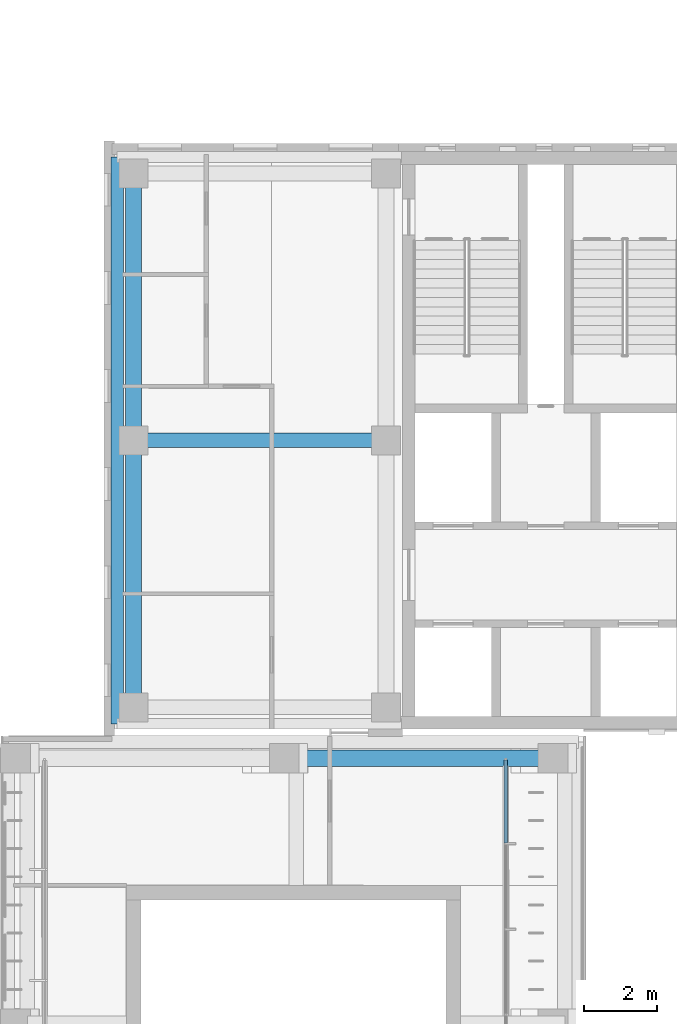
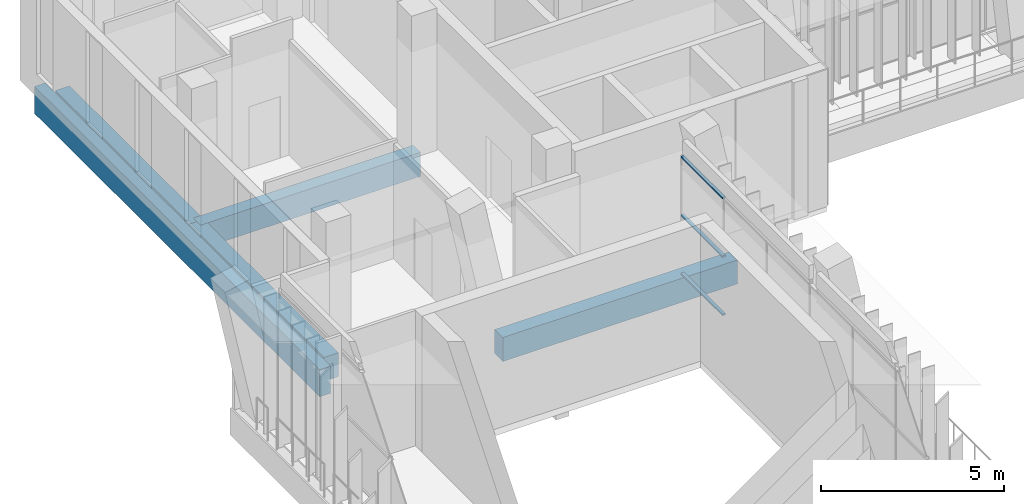
# One storey, part 29 of 89: 5 beams, 3 members, 1 element without a shape of its own.
"""IFC4 building model written with IfcOpenShell, lengths in metres."""

from ifc_helpers import new_model, si_unit, direction, frame, origin, origin_2d, place, context, subcontext, project, spatial, rectangle, extrude, material, material_profile, profile_set, type_object, element, aggregate, save


model = new_model("IFC4")

# Units and contexts
model_context = context("Model", 3, precision=1e-05, world=origin(), true_north=direction((0.0, 1.0)))
body_context = subcontext(model_context, "Body", "Model", "MODEL_VIEW")
ifc_project = project(units=[si_unit("LENGTHUNIT", "METRE"), si_unit("AREAUNIT", "SQUARE_METRE"), si_unit("VOLUMEUNIT", "CUBIC_METRE"), si_unit("PLANEANGLEUNIT", "RADIAN"), si_unit("MASSUNIT", "GRAM", prefix="KILO")], contexts=[model_context])

# Site, building, storey
site_placement = place(None, origin())
site = spatial("IfcSite", under=ifc_project, at=site_placement, CompositionType="ELEMENT")
building_placement = place(site_placement, origin())
building = spatial("IfcBuilding", under=site, at=building_placement, Name="Lantern Court Media Centre", CompositionType="ELEMENT")
storey_placement = place(building_placement, frame((0.0, 0.0, 14.39990234375)))
storey = spatial("IfcBuildingStorey", under=building, at=storey_placement, Name="L03", CompositionType="ELEMENT", Elevation=14.39990234375)

# Curtain wall, members
ifc_material_1 = material(Name="Curtain wall bay 2400")
curtain_wall_type = type_object("IfcCurtainWallType", Name="Curtain wall bay 2400", PredefinedType="NOTDEFINED", material=ifc_material_1)
curtain_wall_placement = place(storey_placement, origin())
curtain_wall = element("IfcCurtainWall", 1, at=curtain_wall_placement, inside=storey, type_object=curtain_wall_type, Name="Curtain wall W inner L03", PredefinedType="NOTDEFINED")
ifc_material_2 = material(Name="Anodised aluminium", Category="aluminium")
ifc_material_profile_1 = material_profile(ifc_material_2, rectangle(XDim=0.10009765625, YDim=0.050048828125, at=origin_2d()), Name="AL 50x100")
ifc_profile_set_1 = profile_set([ifc_material_profile_1], Name="Anodised aluminium")
member_type = type_object("IfcMemberType", Name="Curtain wall transom 100x50", PredefinedType="USERDEFINED", material=ifc_profile_set_1)
member_1_placement = place(storey_placement, frame((18.85009765625, 92.97119140625, 0.025146484375), z_axis=(0.0, 1.0, 0.0), x_axis=(-1.0, 0.0, 0.0)))
member_1 = element("IfcMember", 2, at=member_1_placement, type_object=member_type, Name="CW2 transom 13.1", ObjectType="TRANSOM", PredefinedType="USERDEFINED", context=body_context, shape_type="SweptSolid", body=[
    extrude(rectangle(XDim=0.10009765625, YDim=0.050048828125, at=origin_2d()), origin(), (0.0, 0.0, 1.0), 2.27880859375),
])
member_2_placement = place(storey_placement, frame((18.85009765625, 92.97119140625, 1.97509765625), z_axis=(0.0, 1.0, 0.0), x_axis=(-1.0, 0.0, 0.0)))
member_2 = element("IfcMember", 3, at=member_2_placement, type_object=member_type, Name="CW2 transom 13.2", ObjectType="TRANSOM", PredefinedType="USERDEFINED", context=body_context, shape_type="SweptSolid", body=[
    extrude(rectangle(XDim=0.10009765625, YDim=0.050048828125, at=origin_2d()), origin(), (0.0, 0.0, 1.0), 2.27880859375),
])
member_3_placement = place(storey_placement, frame((18.85009765625, 92.97119140625, 3.925048828125), z_axis=(0.0, 1.0, 0.0), x_axis=(-1.0, 0.0, 0.0)))
member_3 = element("IfcMember", 4, at=member_3_placement, type_object=member_type, Name="CW2 transom 13.3", ObjectType="TRANSOM", PredefinedType="USERDEFINED", context=body_context, shape_type="SweptSolid", body=[
    extrude(rectangle(XDim=0.10009765625, YDim=0.050048828125, at=origin_2d()), origin(), (0.0, 0.0, 1.0), 2.27880859375),
])
aggregate(curtain_wall, [member_1, member_2, member_3])

# Beams
ifc_material_3 = material(Name="Concrete C35", Category="concrete")
ifc_material_profile_2 = material_profile(ifc_material_3, rectangle(XDim=0.35009765625, YDim=0.89990234375, at=origin_2d()), Name="RC 350x900")
ifc_profile_set_2 = profile_set([ifc_material_profile_2], Name="Concrete C35")
beam_type_1 = type_object("IfcBeamType", Name="RC BEAM 350x900", PredefinedType="BEAM", material=ifc_profile_set_2)
beam_1_placement = place(storey_placement, frame((8.14990234375, 96.25, -0.449951171875), z_axis=(0.0, 1.0, 0.0), x_axis=(-1.0, 0.0, 0.0)))
element("IfcBeam", 5, at=beam_1_placement, inside=storey, type_object=beam_type_1, Name="EB-NW-L03-W", PredefinedType="BEAM", context=body_context, shape_type="SweptSolid", body=[
    extrude(rectangle(XDim=0.35009765625, YDim=0.89990234375, at=origin_2d()), origin(), (0.0, 0.0, 1.0), 15.60009765625),
])
ifc_material_profile_3 = material_profile(ifc_material_3, rectangle(XDim=0.39990234375, YDim=0.800048828125, at=origin_2d()), Name="RC 400x800")
ifc_profile_set_3 = profile_set([ifc_material_profile_3], Name="Concrete C35")
beam_type_2 = type_object("IfcBeamType", Name="RC BEAM 400x800", PredefinedType="BEAM", material=ifc_profile_set_3)
beam_2_placement = place(storey_placement, frame((8.60009765625, 104.050048828125, -0.39990234375), z_axis=(1.0, 0.0, 0.0), x_axis=(0.0, 1.0, 0.0)))
element("IfcBeam", 6, at=beam_2_placement, inside=storey, type_object=beam_type_2, Name="BB-NW-L03-Y0-104", PredefinedType="BEAM", context=body_context, shape_type="SweptSolid", body=[
    extrude(rectangle(XDim=0.39990234375, YDim=0.800048828125, at=origin_2d()), origin(), (0.0, 0.0, 1.0), 6.949951171875),
])
ifc_material_profile_4 = material_profile(ifc_material_3, rectangle(XDim=0.449951171875, YDim=0.800048828125, at=origin_2d()), Name="RC 450x800")
ifc_profile_set_4 = profile_set([ifc_material_profile_4], Name="Concrete C35")
beam_type_3 = type_object("IfcBeamType", Name="RC BEAM 450x800", PredefinedType="BEAM", material=ifc_profile_set_4)
beam_3_placement = place(storey_placement, frame((8.60009765625, 96.699951171875, -0.39990234375), z_axis=(0.0, 1.0, 0.0), x_axis=(-1.0, 0.0, 0.0)))
element("IfcBeam", 7, at=beam_3_placement, inside=storey, type_object=beam_type_3, Name="BB-NW-L03-X0-8", PredefinedType="BEAM", context=body_context, shape_type="SweptSolid", body=[
    extrude(rectangle(XDim=0.449951171875, YDim=0.800048828125, at=origin_2d()), origin(), (0.0, 0.0, 1.0), 7.35009765625),
])
beam_4_placement = place(storey_placement, frame((8.60009765625, 104.050048828125, -0.39990234375), z_axis=(0.0, 1.0, 0.0), x_axis=(-1.0, 0.0, 0.0)))
element("IfcBeam", 8, at=beam_4_placement, inside=storey, type_object=beam_type_3, Name="BB-NW-L03-X1-8", PredefinedType="BEAM", context=body_context, shape_type="SweptSolid", body=[
    extrude(rectangle(XDim=0.449951171875, YDim=0.800048828125, at=origin_2d()), origin(), (0.0, 0.0, 1.0), 7.349853515625),
])
beam_5_placement = place(storey_placement, frame((13.083251953125, 95.300048828125, -0.39990234375), z_axis=(1.0, 0.0, 0.0), x_axis=(0.0, 1.0, 0.0)))
element("IfcBeam", 9, at=beam_5_placement, inside=storey, type_object=beam_type_3, Name="TB-W-L03-4-2", PredefinedType="BEAM", context=body_context, shape_type="SweptSolid", body=[
    extrude(rectangle(XDim=0.449951171875, YDim=0.800048828125, at=origin_2d()), origin(), (0.0, 0.0, 1.0), 7.400146484375),
])

save(model, "model.ifc")
